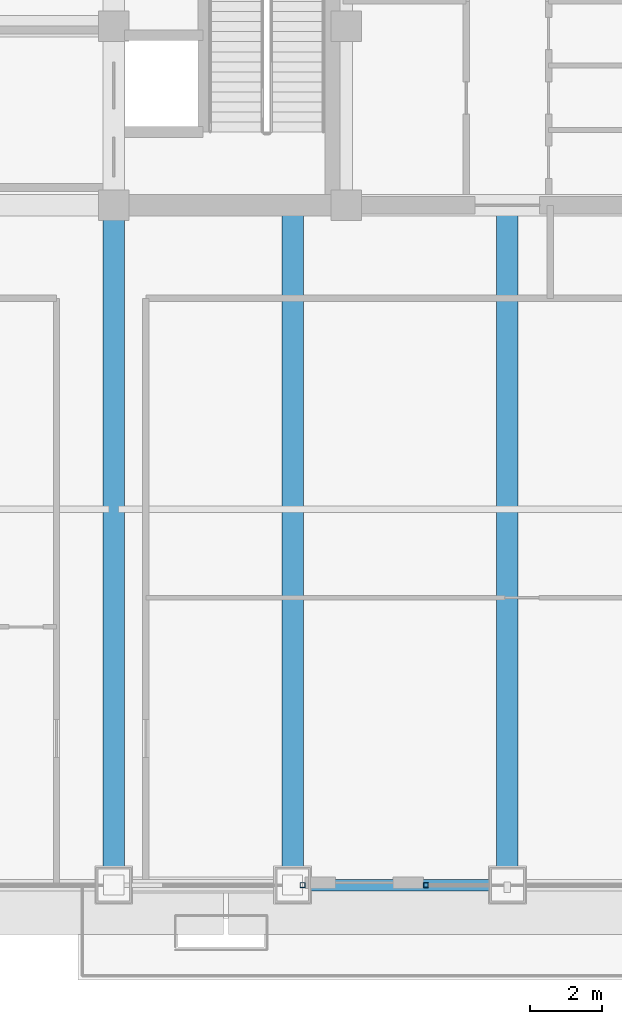
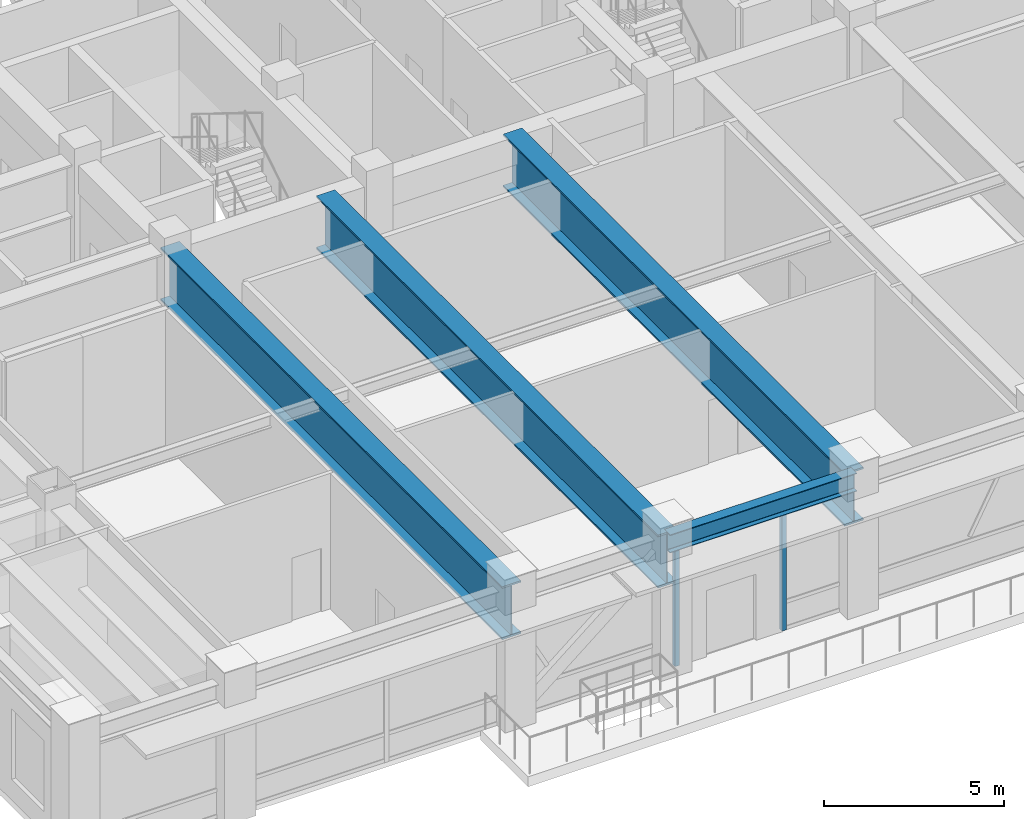
# One storey, part 4 of 33: 4 beams, 2 members, 2 elements without a shape of their own.
"""IFC4 building model written with IfcOpenShell, lengths in metres."""

from ifc_helpers import new_model, si_unit, direction, frame, origin, origin_2d, place, context, subcontext, project, spatial, hollow_rectangle, i_section, extrude, source, transform, mapped, material, material_profile, profile_set, type_object, element, aggregate, save


model = new_model("IFC4")

# Units and contexts
model_context = context("Model", 3, precision=1e-05, world=origin(), true_north=direction((0.0, 1.0)))
body_context = subcontext(model_context, "Body", "Model", "MODEL_VIEW")
ifc_project = project(units=[si_unit("LENGTHUNIT", "METRE"), si_unit("AREAUNIT", "SQUARE_METRE"), si_unit("VOLUMEUNIT", "CUBIC_METRE"), si_unit("PLANEANGLEUNIT", "RADIAN"), si_unit("MASSUNIT", "GRAM", prefix="KILO")], contexts=[model_context])

# Site, building, storey
site_placement = place(None, origin())
site = spatial("IfcSite", under=ifc_project, at=site_placement, CompositionType="ELEMENT")
building_placement = place(site_placement, origin())
building = spatial("IfcBuilding", under=site, at=building_placement, Name="Khorayat Bourse Tower", CompositionType="ELEMENT")
storey_placement = place(building_placement, frame((0.0, 0.0, 263.10009765625)))
storey = spatial("IfcBuildingStorey", under=building, at=storey_placement, Name="L62", CompositionType="ELEMENT", Elevation=263.10009765625)

# Beams
ifc_material_1 = material(Name="Steel ASTM A992 Grade 50", Category="steel")
ifc_material_profile_1 = material_profile(ifc_material_1, i_section(OverallWidth=0.324951171875, OverallDepth=0.615966796875, WebThickness=0.013916015625, FlangeThickness=0.021484375, FilletRadius=0.01611328125, at=origin_2d()), Name="W610X174")
ifc_profile_set_1 = profile_set([ifc_material_profile_1], Name="Steel ASTM A992 Grade 50")
beam_type_1 = type_object("IfcBeamType", Name="BM-SPAN-610", PredefinedType="SPANDREL", material=ifc_profile_set_1)
shared_shape_1 = source(origin(), body_context, "Body", "SweptSolid", [
    extrude(i_section(OverallWidth=0.324951171875, OverallDepth=0.615966796875, WebThickness=0.013916015625, FlangeThickness=0.021484375, FilletRadius=0.01611328125, at=origin_2d()), origin(), (0.0, 0.0, 1.0), 6.0),
])
beam_placement = place(storey_placement, frame((-6.0, -30.0, 4.2919921875), z_axis=(1.0, 0.0, 0.0), x_axis=(0.0, 1.0, 0.0)))
element("IfcBeam", 1, at=beam_placement, inside=storey, type_object=beam_type_1, Name="L62 BM-SPAN-610 BM-L62-SPN-027", PredefinedType="SPANDREL", context=body_context, shape_type="MappedRepresentation", body=[
    mapped(shared_shape_1, transform((0.0, 0.0, 0.0), scale=1.0)),
])
ifc_material_2 = material(Name="Steel EN 10025-4 S460M", Category="steel")
ifc_material_profile_2 = material_profile(ifc_material_2, i_section(OverallWidth=0.60009765625, OverallDepth=1.800048828125, WebThickness=0.031982421875, FlangeThickness=0.06005859375, at=origin_2d()), Name="PG 1800x600x32x60")
ifc_profile_set_2 = profile_set([ifc_material_profile_2], Name="Steel EN 10025-4 S460M")
beam_type_2 = type_object("IfcBeamType", Name="BM-TR-1800", PredefinedType="BEAM", material=ifc_profile_set_2)
shared_shape_2 = source(origin(), body_context, "Body", "SweptSolid", [
    extrude(i_section(OverallWidth=0.60009765625, OverallDepth=1.800048828125, WebThickness=0.031982421875, FlangeThickness=0.06005859375, at=origin_2d()), origin(), (0.0, 0.0, 1.0), 19.0),
])
for number, where, z_axis, x_axis, name in (
    (2, (-11.0, -30.0, 3.699951171875), (0.0, 1.0, 0.0), (-1.0, 0.0, 0.0), "L62 BM-TR-1800 BM-L62-RADY-065"),
    (3, (-6.0, -30.0, 3.699951171875), (0.0, 1.0, 0.0), (-1.0, 0.0, 0.0), "L62 BM-TR-1800 BM-L62-RADY-067"),
    (4, (0.0, -30.0, 3.699951171875), (0.0, 1.0, 0.0), (-1.0, 0.0, 0.0), "L62 BM-TR-1800 BM-L62-RADY-069"),
):
    element("IfcBeam", number, at=place(storey_placement, frame(where, z_axis=z_axis, x_axis=x_axis)), inside=storey, type_object=beam_type_2, Name=name, PredefinedType="BEAM", context=body_context, shape_type="MappedRepresentation", body=[
        mapped(shared_shape_2, transform((0.0, 0.0, 0.0), scale=1.0)),
    ])

# Curtain wall, member
ifc_material_3 = material(Name="Aluminium EN AW-6063 T6", Category="aluminium")
curtain_wall_type = type_object("IfcCurtainWallType", Name="CW-SYS-05", PredefinedType="NOTDEFINED", material=ifc_material_3)
curtain_wall_1_placement = place(storey_placement, origin())
curtain_wall_1 = element("IfcCurtainWall", 5, at=curtain_wall_1_placement, inside=storey, type_object=curtain_wall_type, Name="L62 Curtain Wall CW-L62-S1", PredefinedType="NOTDEFINED")
ifc_material_profile_3 = material_profile(ifc_material_3, hollow_rectangle(XDim=0.139892578125, YDim=0.139892578125, WallThickness=0.006103515625, at=origin_2d()), Name="ALU 140x140x6")
ifc_profile_set_3 = profile_set([ifc_material_profile_3], Name="Aluminium EN AW-6063 T6")
member_type = type_object("IfcMemberType", Name="CWM-VERT-140", PredefinedType="MULLION", material=ifc_profile_set_3)
shared_shape_3 = source(origin(), body_context, "Body", "SweptSolid", [
    extrude(hollow_rectangle(XDim=0.139892578125, YDim=0.139892578125, WallThickness=0.006103515625, at=origin_2d()), origin(), (0.0, 0.0, 1.0), 3.949951171875),
])
member_1_placement = place(storey_placement, frame((-5.719970703125, -30.0, 0.0), z_axis=(0.0, 0.0, 1.0), x_axis=(0.0, 1.0, 0.0)))
member_1 = element("IfcMember", 6, at=member_1_placement, type_object=member_type, Name="CW-L62-S1 Vertical Mullion 3", PredefinedType="MULLION", context=body_context, shape_type="MappedRepresentation", body=[
    mapped(shared_shape_3, transform((0.0, 0.0, 0.0), scale=1.0)),
])
aggregate(curtain_wall_1, [member_1])

curtain_wall_2_placement = place(storey_placement, origin())
curtain_wall_2 = element("IfcCurtainWall", 7, at=curtain_wall_2_placement, inside=storey, type_object=curtain_wall_type, Name="L62 Curtain Wall CW-L62-S2", PredefinedType="NOTDEFINED")
member_2_placement = place(storey_placement, frame((-2.280029296875, -30.0, 0.0), z_axis=(0.0, 0.0, 1.0), x_axis=(0.0, 1.0, 0.0)))
member_2 = element("IfcMember", 8, at=member_2_placement, type_object=member_type, Name="CW-L62-S2 Vertical Mullion 1", PredefinedType="MULLION", context=body_context, shape_type="MappedRepresentation", body=[
    mapped(shared_shape_3, transform((0.0, 0.0, 0.0), scale=1.0)),
])
aggregate(curtain_wall_2, [member_2])

save(model, "model.ifc")
